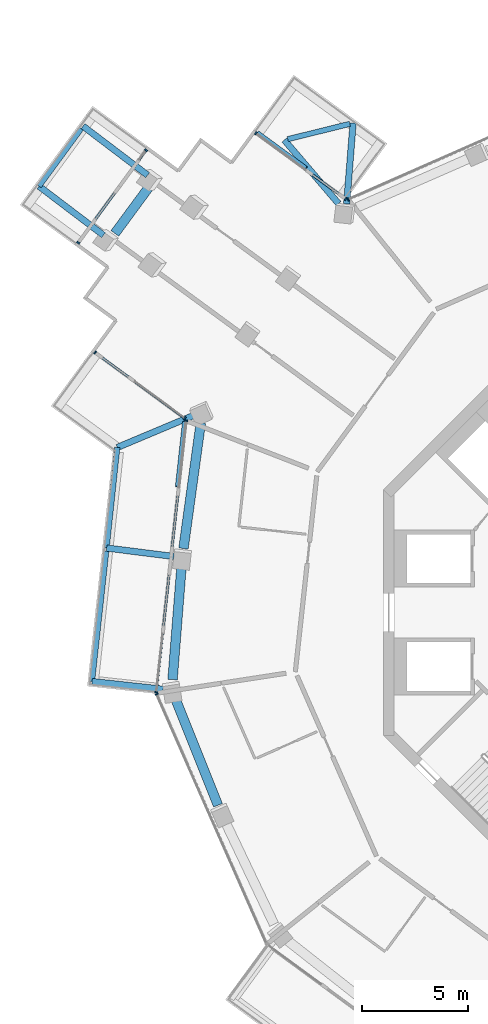
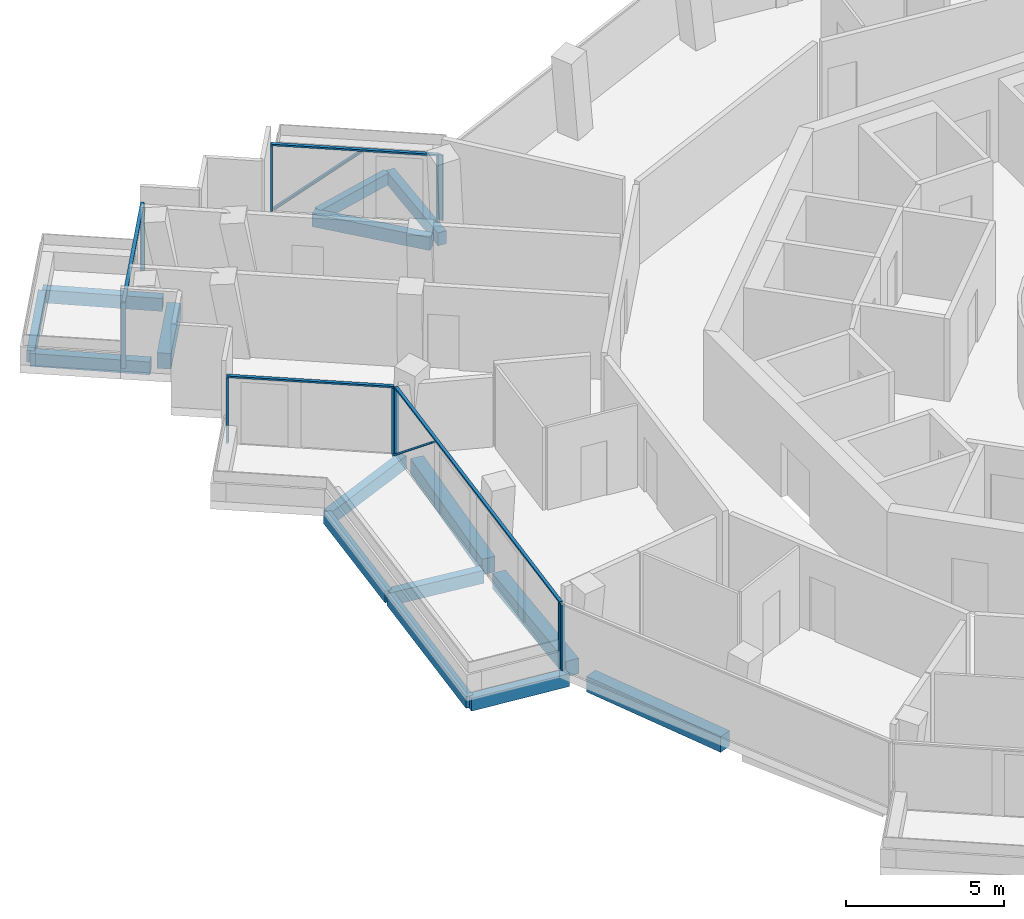
# One storey, part 6 of 22: 16 members, 15 beams, 6 elements without a shape of their own.
"""IFC4 building model written with IfcOpenShell, lengths in metres."""

from ifc_helpers import new_model, si_unit, direction, frame, origin, origin_2d, place, context, subcontext, project, spatial, rectangle, extrude, material, layer, layer_set, material_profile, profile_set, type_object, element, aggregate, save


model = new_model("IFC4")

# Units and contexts
model_context = context("Model", 3, precision=1e-05, world=origin(), true_north=direction((0.0, 1.0)))
body_context = subcontext(model_context, "Body", "Model", "MODEL_VIEW")
ifc_project = project(units=[si_unit("LENGTHUNIT", "METRE"), si_unit("AREAUNIT", "SQUARE_METRE"), si_unit("VOLUMEUNIT", "CUBIC_METRE"), si_unit("PLANEANGLEUNIT", "RADIAN"), si_unit("MASSUNIT", "GRAM", prefix="KILO")], contexts=[model_context])

# Site, building, storey
site_placement = place(None, origin())
site = spatial("IfcSite", under=ifc_project, at=site_placement, CompositionType="ELEMENT")
building_placement = place(site_placement, origin())
building = spatial("IfcBuilding", under=site, at=building_placement, Name="Verdalira Terraces Hotel", CompositionType="ELEMENT")
storey_placement = place(building_placement, frame((0.0, 0.0, 252.5)))
storey = spatial("IfcBuildingStorey", under=building, at=storey_placement, Name="L62", CompositionType="ELEMENT", Elevation=252.5)

# Beams
ifc_material_1 = material(Name="Concrete C40", Category="concrete")
ifc_material_profile_1 = material_profile(ifc_material_1, rectangle(XDim=0.300049, YDim=0.5, at=origin_2d()), Name="RC 300X500")
ifc_profile_set_1 = profile_set([ifc_material_profile_1], Name="Concrete C40")
beam_type_1 = type_object("IfcBeamType", Name="Balcony cantilever beam RC 300X500 C40", PredefinedType="BEAM", material=ifc_profile_set_1)
beam_1_placement = place(storey_placement, frame((-16.127441, 19.324463, -0.560059), z_axis=(-0.648819263, 0.76094255, 0.0), x_axis=(-0.76094255, -0.648819263, 0.0)))
element("IfcBeam", 1, at=beam_1_placement, inside=storey, type_object=beam_type_1, Name="Balcony cantilever beam R00-1", PredefinedType="BEAM", context=body_context, shape_type="SweptSolid", body=[
    extrude(rectangle(XDim=0.300049, YDim=0.5, at=origin_2d()), origin(), (0.0, 0.0, 1.0), 3.949951),
])
beam_2_placement = place(storey_placement, frame((-15.744385, 19.311768, -0.560059), z_axis=(0.079233847, 0.996856057, 0.0), x_axis=(-0.996856057, 0.079233847, 0.0)))
element("IfcBeam", 2, at=beam_2_placement, inside=storey, type_object=beam_type_1, Name="Balcony cantilever beam R00-2", PredefinedType="BEAM", context=body_context, shape_type="SweptSolid", body=[
    extrude(rectangle(XDim=0.300049, YDim=0.5, at=origin_2d()), origin(), (0.0, 0.0, 1.0), 3.833008),
])
beam_3_placement = place(storey_placement, frame((-25.152344, 20.67041, -0.560059), z_axis=(-0.796544108, 0.60458042, 0.0), x_axis=(-0.60458042, -0.796544108, 0.0)))
element("IfcBeam", 3, at=beam_3_placement, inside=storey, type_object=beam_type_1, Name="Balcony cantilever beam R05-1", PredefinedType="BEAM", context=body_context, shape_type="SweptSolid", body=[
    extrude(rectangle(XDim=0.300049, YDim=0.5, at=origin_2d()), origin(), (0.0, 0.0, 1.0), 3.829346),
])
beam_4_placement = place(storey_placement, frame((-27.236572, 17.83374, -0.560059), z_axis=(-0.796524865, 0.604605773, 0.0), x_axis=(-0.604605773, -0.796524865, 0.0)))
element("IfcBeam", 4, at=beam_4_placement, inside=storey, type_object=beam_type_1, Name="Balcony cantilever beam R05-2", PredefinedType="BEAM", context=body_context, shape_type="SweptSolid", body=[
    extrude(rectangle(XDim=0.300049, YDim=0.5, at=origin_2d()), origin(), (0.0, 0.0, 1.0), 3.825195),
])
beam_5_placement = place(storey_placement, frame((-22.941406, 9.332031, -0.560059), z_axis=(-0.921878357, -0.387479411, 0.0), x_axis=(0.387479411, -0.921878357, 0.0)))
element("IfcBeam", 5, at=beam_5_placement, inside=storey, type_object=beam_type_1, Name="Balcony cantilever beam R10-1", PredefinedType="BEAM", context=body_context, shape_type="SweptSolid", body=[
    extrude(rectangle(XDim=0.300049, YDim=0.5, at=origin_2d()), origin(), (0.0, 0.0, 1.0), 3.949951),
])
beam_6_placement = place(storey_placement, frame((-23.911865, 2.648682, -0.560059), z_axis=(-0.992116278, 0.125320754, 0.0), x_axis=(-0.125320754, -0.992116278, 0.0)))
element("IfcBeam", 6, at=beam_6_placement, inside=storey, type_object=beam_type_1, Name="Balcony cantilever beam R10-2", PredefinedType="BEAM", context=body_context, shape_type="SweptSolid", body=[
    extrude(rectangle(XDim=0.300049, YDim=0.5, at=origin_2d()), origin(), (0.0, 0.0, 1.0), 3.200684),
])
beam_7_placement = place(storey_placement, frame((-24.416504, -3.626221, -0.560059), z_axis=(-0.994068154, 0.108758928, 0.0), x_axis=(-0.108758928, -0.994068154, 0.0)))
element("IfcBeam", 7, at=beam_7_placement, inside=storey, type_object=beam_type_1, Name="Balcony cantilever beam R10-3", PredefinedType="BEAM", context=body_context, shape_type="SweptSolid", body=[
    extrude(rectangle(XDim=0.300049, YDim=0.5, at=origin_2d()), origin(), (0.0, 0.0, 1.0), 3.380615),
])
ifc_material_2 = material(Name="Concrete C40", Category="concrete")
ifc_material_profile_2 = material_profile(ifc_material_2, rectangle(XDim=0.25, YDim=0.449951, at=origin_2d()), Name="RC 250X450")
ifc_profile_set_2 = profile_set([ifc_material_profile_2], Name="Concrete C40")
beam_type_2 = type_object("IfcBeamType", Name="Balcony edge beam RC 250X450 C40", PredefinedType="BEAM", material=ifc_profile_set_2)
beam_8_placement = place(storey_placement, frame((-18.527344, 22.370605, -0.534912), z_axis=(0.970837175, 0.239739817, 0.0), x_axis=(-0.239739817, 0.970837175, 0.0)))
element("IfcBeam", 8, at=beam_8_placement, inside=storey, type_object=beam_type_2, Name="Balcony edge beam R00-1", PredefinedType="BEAM", context=body_context, shape_type="SweptSolid", body=[
    extrude(rectangle(XDim=0.25, YDim=0.449951, at=origin_2d()), origin(), (0.0, 0.0, 1.0), 3.021484),
])
beam_9_placement = place(storey_placement, frame((-28.29126, 22.864746, -0.534912), z_axis=(-0.591131237, -0.806575391, 0.0), x_axis=(0.806575391, -0.591131237, 0.0)))
element("IfcBeam", 9, at=beam_9_placement, inside=storey, type_object=beam_type_2, Name="Balcony edge beam R05-1", PredefinedType="BEAM", context=body_context, shape_type="SweptSolid", body=[
    extrude(rectangle(XDim=0.25, YDim=0.449951, at=origin_2d()), origin(), (0.0, 0.0, 1.0), 3.370117),
])
beam_10_placement = place(storey_placement, frame((-26.582764, 7.801514, -0.534912), z_axis=(-0.105607619, -0.99440788, 0.0), x_axis=(0.99440788, -0.105607619, 0.0)))
element("IfcBeam", 10, at=beam_10_placement, inside=storey, type_object=beam_type_2, Name="Balcony edge beam R10-1", PredefinedType="BEAM", context=body_context, shape_type="SweptSolid", body=[
    extrude(rectangle(XDim=0.25, YDim=0.449951, at=origin_2d()), origin(), (0.0, 0.0, 1.0), 4.77832),
])
beam_11_placement = place(storey_placement, frame((-27.103516, 2.900879, -0.534912), z_axis=(-0.108710165, -0.994073488, 0.0), x_axis=(0.994073488, -0.108710165, 0.0)))
element("IfcBeam", 11, at=beam_11_placement, inside=storey, type_object=beam_type_2, Name="Balcony edge beam R10-2", PredefinedType="BEAM", context=body_context, shape_type="SweptSolid", body=[
    extrude(rectangle(XDim=0.25, YDim=0.449951, at=origin_2d()), origin(), (0.0, 0.0, 1.0), 6.196045),
])

# Curtain wall, members
ifc_material_3 = material(Name="Clear glass", Category="glass")
ifc_layer_1 = layer(ifc_material_3, 0.14990234375)
ifc_layer_set_1 = layer_set([ifc_layer_1], Name="CW1 curtain wall")
curtain_wall_type_1 = type_object("IfcCurtainWallType", Name="CW1 curtain wall", PredefinedType="NOTDEFINED", material=ifc_layer_set_1)
curtain_wall_1_placement = place(storey_placement, origin())
curtain_wall_1 = element("IfcCurtainWall", 12, at=curtain_wall_1_placement, inside=storey, type_object=curtain_wall_type_1, Name="CW1 curtain wall L62 edge 11", PredefinedType="NOTDEFINED")
ifc_material_4 = material(Name="Terracotta frame", Category="masonry")
ifc_material_profile_3 = material_profile(ifc_material_4, rectangle(XDim=0.060059, YDim=0.149902, at=origin_2d()), Name="MU 60x150")
ifc_profile_set_3 = profile_set([ifc_material_profile_3], Name="Terracotta frame")
member_type_1 = type_object("IfcMemberType", Name="CW1 mullion 60x150", PredefinedType="MULLION", material=ifc_profile_set_3)
member_1_placement = place(storey_placement, frame((-23.336914, 9.060303, 0.0), z_axis=(0.0, 0.0, 1.0), x_axis=(-0.108693378, -0.994075324, 0.0)))
member_1 = element("IfcMember", 13, at=member_1_placement, type_object=member_type_1, Name="CW1 mullion", PredefinedType="MULLION", context=body_context, shape_type="SweptSolid", body=[
    extrude(rectangle(XDim=0.060059, YDim=0.149902, at=origin_2d()), origin(), (0.0, 0.0, 1.0), 2.524902),
])
member_2_placement = place(storey_placement, frame((-24.739014, -3.763184, 0.0), z_axis=(0.0, 0.0, 1.0), x_axis=(-0.108693378, -0.994075324, 0.0)))
member_2 = element("IfcMember", 14, at=member_2_placement, type_object=member_type_1, Name="CW1 mullion", PredefinedType="MULLION", context=body_context, shape_type="SweptSolid", body=[
    extrude(rectangle(XDim=0.060059, YDim=0.149902, at=origin_2d()), origin(), (0.0, 0.0, 1.0), 2.524902),
])

# Curtain wall, member
curtain_wall_2_placement = place(storey_placement, origin())
curtain_wall_2 = element("IfcCurtainWall", 15, at=curtain_wall_2_placement, inside=storey, type_object=curtain_wall_type_1, Name="CW1 curtain wall L62 edge 12", PredefinedType="NOTDEFINED")
member_3_placement = place(storey_placement, frame((-24.724121, -3.858887, 0.0), z_axis=(0.0, 0.0, 1.0), x_axis=(0.402906436, -0.915241173, 0.0)))
member_3 = element("IfcMember", 16, at=member_3_placement, type_object=member_type_1, Name="CW1 mullion", PredefinedType="MULLION", context=body_context, shape_type="SweptSolid", body=[
    extrude(rectangle(XDim=0.060059, YDim=0.149902, at=origin_2d()), origin(), (0.0, 0.0, 1.0), 2.524902),
])
aggregate(curtain_wall_2, [member_3])

curtain_wall_3_placement = place(storey_placement, origin())
curtain_wall_3 = element("IfcCurtainWall", 17, at=curtain_wall_3_placement, inside=storey, type_object=curtain_wall_type_1, Name="CW1 curtain wall L62 edge 41", PredefinedType="NOTDEFINED")
member_4_placement = place(storey_placement, frame((-15.665283, 19.526855, 0.0), z_axis=(0.0, 0.0, 1.0), x_axis=(-0.915241173, -0.402906436, 0.0)))
member_4 = element("IfcMember", 18, at=member_4_placement, type_object=member_type_1, Name="CW1 mullion", PredefinedType="MULLION", context=body_context, shape_type="SweptSolid", body=[
    extrude(rectangle(XDim=0.060059, YDim=0.149902, at=origin_2d()), origin(), (0.0, 0.0, 1.0), 2.524902),
])
aggregate(curtain_wall_3, [member_4])

# Member
ifc_material_5 = material(Name="Terracotta frame", Category="masonry")
ifc_material_profile_4 = material_profile(ifc_material_5, rectangle(XDim=0.110107, YDim=0.064941, at=origin_2d()), Name="TR 65x110")
ifc_profile_set_4 = profile_set([ifc_material_profile_4], Name="Terracotta frame")
member_type_2 = type_object("IfcMemberType", Name="CW1 transom 65x110", PredefinedType="USERDEFINED", material=ifc_profile_set_4)
member_5_placement = place(storey_placement, frame((-23.333496, 9.090088, 2.557617), z_axis=(-0.108696632, -0.994074968, 0.0), x_axis=(0.994074968, -0.108696632, 0.0)))
member_5 = element("IfcMember", 19, at=member_5_placement, type_object=member_type_2, Name="CW1 transom", ObjectType="TRANSOM", PredefinedType="USERDEFINED", context=body_context, shape_type="SweptSolid", body=[
    extrude(rectangle(XDim=0.110107, YDim=0.064941, at=origin_2d()), origin(), (0.0, 0.0, 1.0), 12.959961),
])

# Curtain wall, members
ifc_material_6 = material(Name="Clear glass", Category="glass")
ifc_layer_2 = layer(ifc_material_6, 0.14990234375)
ifc_layer_set_2 = layer_set([ifc_layer_2], Name="CW2 curtain wall")
curtain_wall_type_2 = type_object("IfcCurtainWallType", Name="CW2 curtain wall", PredefinedType="NOTDEFINED", material=ifc_layer_set_2)
curtain_wall_4_placement = place(storey_placement, origin())
curtain_wall_4 = element("IfcCurtainWall", 20, at=curtain_wall_4_placement, inside=storey, type_object=curtain_wall_type_2, Name="CW2 curtain wall L62 edge 0", PredefinedType="NOTDEFINED")
ifc_material_7 = material(Name="Terracotta frame", Category="masonry")
ifc_material_profile_5 = material_profile(ifc_material_7, rectangle(XDim=0.070068, YDim=0.149902, at=origin_2d()), Name="MU 70x150")
ifc_profile_set_5 = profile_set([ifc_material_profile_5], Name="Terracotta frame")
member_type_3 = type_object("IfcMemberType", Name="CW2 mullion 70x150", PredefinedType="MULLION", material=ifc_profile_set_5)
member_6_placement = place(storey_placement, frame((-15.79541, 19.543457, 0.0), z_axis=(0.0, 0.0, 1.0), x_axis=(-0.806547795, 0.591168888, 0.0)))
member_6 = element("IfcMember", 21, at=member_6_placement, type_object=member_type_3, Name="CW2 mullion", PredefinedType="MULLION", context=body_context, shape_type="SweptSolid", body=[
    extrude(rectangle(XDim=0.070068, YDim=0.149902, at=origin_2d()), origin(), (0.0, 0.0, 1.0), 2.524902),
])
member_7_placement = place(storey_placement, frame((-20.0354, 22.651123, 0.0), z_axis=(0.0, 0.0, 1.0), x_axis=(-0.806547795, 0.591168888, 0.0)))
member_7 = element("IfcMember", 22, at=member_7_placement, type_object=member_type_3, Name="CW2 mullion", PredefinedType="MULLION", context=body_context, shape_type="SweptSolid", body=[
    extrude(rectangle(XDim=0.070068, YDim=0.149902, at=origin_2d()), origin(), (0.0, 0.0, 1.0), 2.524902),
])

curtain_wall_5_placement = place(storey_placement, origin())
curtain_wall_5 = element("IfcCurtainWall", 23, at=curtain_wall_5_placement, inside=storey, type_object=curtain_wall_type_2, Name="CW2 curtain wall L62 edge 10", PredefinedType="NOTDEFINED")
member_8_placement = place(storey_placement, frame((-27.631836, 12.287109, 0.0), z_axis=(0.0, 0.0, 1.0), x_axis=(0.806547795, -0.591168888, 0.0)))
member_8 = element("IfcMember", 24, at=member_8_placement, type_object=member_type_3, Name="CW2 mullion", PredefinedType="MULLION", context=body_context, shape_type="SweptSolid", body=[
    extrude(rectangle(XDim=0.070068, YDim=0.149902, at=origin_2d()), origin(), (0.0, 0.0, 1.0), 2.524902),
])
member_9_placement = place(storey_placement, frame((-23.39209, 9.179443, 0.0), z_axis=(0.0, 0.0, 1.0), x_axis=(0.806547795, -0.591168888, 0.0)))
member_9 = element("IfcMember", 25, at=member_9_placement, type_object=member_type_3, Name="CW2 mullion", PredefinedType="MULLION", context=body_context, shape_type="SweptSolid", body=[
    extrude(rectangle(XDim=0.070068, YDim=0.149902, at=origin_2d()), origin(), (0.0, 0.0, 1.0), 2.524902),
])

# Member
ifc_material_8 = material(Name="Terracotta frame", Category="masonry")
ifc_material_profile_6 = material_profile(ifc_material_8, rectangle(XDim=0.11499, YDim=0.064941, at=origin_2d()), Name="TR 65x115")
ifc_profile_set_6 = profile_set([ifc_material_profile_6], Name="Terracotta frame")
member_type_4 = type_object("IfcMemberType", Name="CW2 transom 65x115", PredefinedType="USERDEFINED", material=ifc_profile_set_6)
member_10_placement = place(storey_placement, frame((-15.767334, 19.522949, 2.557617), z_axis=(-0.806546317, 0.591170904, 0.0), x_axis=(-0.591170904, -0.806546317, 0.0)))
member_10 = element("IfcMember", 26, at=member_10_placement, type_object=member_type_4, Name="CW2 transom", ObjectType="TRANSOM", PredefinedType="USERDEFINED", context=body_context, shape_type="SweptSolid", body=[
    extrude(rectangle(XDim=0.11499, YDim=0.064941, at=origin_2d()), origin(), (0.0, 0.0, 1.0), 5.32666),
])

member_11_placement = place(storey_placement, frame((-27.660156, 12.307617, 2.557617), z_axis=(0.806562335, -0.591149051, 0.0), x_axis=(0.591149051, 0.806562335, 0.0)))
member_11 = element("IfcMember", 27, at=member_11_placement, type_object=member_type_4, Name="CW2 transom", ObjectType="TRANSOM", PredefinedType="USERDEFINED", context=body_context, shape_type="SweptSolid", body=[
    extrude(rectangle(XDim=0.11499, YDim=0.064941, at=origin_2d()), origin(), (0.0, 0.0, 1.0), 5.326904),
])

aggregate(curtain_wall_5, [member_8, member_9, member_11])

# Curtain wall, members
ifc_material_9 = material(Name="Clear glass", Category="glass")
ifc_layer_3 = layer(ifc_material_9, 0.14990234375)
ifc_layer_set_3 = layer_set([ifc_layer_3], Name="CW3 curtain wall")
curtain_wall_type_3 = type_object("IfcCurtainWallType", Name="CW3 curtain wall", PredefinedType="NOTDEFINED", material=ifc_layer_set_3)
curtain_wall_6_placement = place(storey_placement, origin())
curtain_wall_6 = element("IfcCurtainWall", 28, at=curtain_wall_6_placement, inside=storey, type_object=curtain_wall_type_3, Name="CW3 curtain wall L62 edge 5", PredefinedType="NOTDEFINED")
ifc_material_10 = material(Name="Terracotta frame", Category="masonry")
ifc_material_profile_7 = material_profile(ifc_material_10, rectangle(XDim=0.080078, YDim=0.149902, at=origin_2d()), Name="MU 80x150")
ifc_profile_set_7 = profile_set([ifc_material_profile_7], Name="Terracotta frame")
member_type_5 = type_object("IfcMemberType", Name="CW3 mullion 80x150", PredefinedType="MULLION", material=ifc_profile_set_7)
member_12_placement = place(storey_placement, frame((-25.223877, 21.848145, 0.0), z_axis=(0.0, 0.0, 1.0), x_axis=(-0.591168888, -0.806547795, 0.0)))
member_12 = element("IfcMember", 29, at=member_12_placement, type_object=member_type_5, Name="CW3 mullion", PredefinedType="MULLION", context=body_context, shape_type="SweptSolid", body=[
    extrude(rectangle(XDim=0.080078, YDim=0.149902, at=origin_2d()), origin(), (0.0, 0.0, 1.0), 2.524902),
])
member_13_placement = place(storey_placement, frame((-28.427979, 17.476562, 0.0), z_axis=(0.0, 0.0, 1.0), x_axis=(-0.591168888, -0.806547795, 0.0)))
member_13 = element("IfcMember", 30, at=member_13_placement, type_object=member_type_5, Name="CW3 mullion", PredefinedType="MULLION", context=body_context, shape_type="SweptSolid", body=[
    extrude(rectangle(XDim=0.080078, YDim=0.149902, at=origin_2d()), origin(), (0.0, 0.0, 1.0), 2.524902),
])
ifc_material_11 = material(Name="Terracotta frame", Category="masonry")
ifc_material_profile_8 = material_profile(ifc_material_11, rectangle(XDim=0.120117, YDim=0.064941, at=origin_2d()), Name="TR 65x120")
ifc_profile_set_8 = profile_set([ifc_material_profile_8], Name="Terracotta frame")
member_type_6 = type_object("IfcMemberType", Name="CW3 transom 65x120", PredefinedType="USERDEFINED", material=ifc_profile_set_8)
member_14_placement = place(storey_placement, frame((-25.200195, 21.880371, 2.557617), z_axis=(-0.591171209, -0.806546094, 0.0), x_axis=(0.806546094, -0.591171209, 0.0)))
member_14 = element("IfcMember", 31, at=member_14_placement, type_object=member_type_6, Name="CW3 transom", ObjectType="TRANSOM", PredefinedType="USERDEFINED", context=body_context, shape_type="SweptSolid", body=[
    extrude(rectangle(XDim=0.120117, YDim=0.064941, at=origin_2d()), origin(), (0.0, 0.0, 1.0), 5.5),
])
aggregate(curtain_wall_6, [member_12, member_13, member_14])

# Member
ifc_material_12 = material(Name="Terracotta frame", Category="masonry")
ifc_material_profile_9 = material_profile(ifc_material_12, rectangle(XDim=0.149902, YDim=0.060059, at=origin_2d()), Name="GB 60x150")
ifc_profile_set_9 = profile_set([ifc_material_profile_9], Name="Terracotta frame")
member_type_7 = type_object("IfcMemberType", Name="Diagonal glazing bar 60x150", PredefinedType="USERDEFINED", material=ifc_profile_set_9)
member_15_placement = place(storey_placement, frame((-17.646973, 21.013428, 2.501221), z_axis=(-0.607061012, 0.444979096, -0.65838479), x_axis=(-0.591191739, -0.806531046, 0.0)))
member_15 = element("IfcMember", 32, at=member_15_placement, type_object=member_type_7, Name="Diagonal glazing bar", ObjectType="GLAZING BAR", PredefinedType="USERDEFINED", context=body_context, shape_type="SweptSolid", body=[
    extrude(rectangle(XDim=0.149902, YDim=0.060059, at=origin_2d()), origin(), (0.0, 0.0, 1.0), 3.762695),
])

aggregate(curtain_wall_4, [member_6, member_7, member_10, member_15])

member_16_placement = place(storey_placement, frame((-23.431885, 9.009521, 0.024658), z_axis=(-0.084725608, -0.774642956, 0.626697584), x_axis=(0.994071826, -0.108725367, 0.0)))
member_16 = element("IfcMember", 33, at=member_16_placement, type_object=member_type_7, Name="Diagonal glazing bar", ObjectType="GLAZING BAR", PredefinedType="USERDEFINED", context=body_context, shape_type="SweptSolid", body=[
    extrude(rectangle(XDim=0.149902, YDim=0.060059, at=origin_2d()), origin(), (0.0, 0.0, 1.0), 3.950684),
])

aggregate(curtain_wall_1, [member_1, member_2, member_5, member_16])

# Beams
ifc_material_13 = material(Name="Concrete C40", Category="concrete")
ifc_material_profile_10 = material_profile(ifc_material_13, rectangle(XDim=0.449951, YDim=0.600098, at=origin_2d()), Name="RC 450X600")
ifc_profile_set_10 = profile_set([ifc_material_profile_10], Name="Concrete C40")
beam_type_3 = type_object("IfcBeamType", Name="Spandrel beam RC 450X600 C40", PredefinedType="SPANDREL", material=ifc_profile_set_10)
beam_12_placement = place(storey_placement, frame((-25.032959, 20.179199, -0.610107), z_axis=(-0.593012298, -0.805193402, 0.0), x_axis=(0.805193402, -0.593012298, 0.0)))
element("IfcBeam", 34, at=beam_12_placement, inside=storey, type_object=beam_type_3, Name="Spandrel beam B01", PredefinedType="SPANDREL", context=body_context, shape_type="SweptSolid", body=[
    extrude(rectangle(XDim=0.449951, YDim=0.600098, at=origin_2d()), origin(), (0.0, 0.0, 1.0), 2.809814),
])
beam_13_placement = place(storey_placement, frame((-22.636719, 8.969238, -0.610107), z_axis=(-0.136640151, -0.990620749, 0.0), x_axis=(0.990620749, -0.136640151, 0.0)))
element("IfcBeam", 35, at=beam_13_placement, inside=storey, type_object=beam_type_3, Name="Spandrel beam B02", PredefinedType="SPANDREL", context=body_context, shape_type="SweptSolid", body=[
    extrude(rectangle(XDim=0.449951, YDim=0.600098, at=origin_2d()), origin(), (0.0, 0.0, 1.0), 5.999756),
])
beam_14_placement = place(storey_placement, frame((-23.544922, 2.208008, -0.610107), z_axis=(-0.079295493, -0.996851155, 0.0), x_axis=(0.996851155, -0.079295493, 0.0)))
element("IfcBeam", 36, at=beam_14_placement, inside=storey, type_object=beam_type_3, Name="Spandrel beam B03", PredefinedType="SPANDREL", context=body_context, shape_type="SweptSolid", body=[
    extrude(rectangle(XDim=0.449951, YDim=0.600098, at=origin_2d()), origin(), (0.0, 0.0, 1.0), 5.394287),
])
beam_15_placement = place(storey_placement, frame((-23.830322, -4.094238, -0.610107), z_axis=(0.371484268, -0.928439249, 0.0), x_axis=(0.928439249, 0.371484268, 0.0)))
element("IfcBeam", 37, at=beam_15_placement, inside=storey, type_object=beam_type_3, Name="Spandrel beam B04", PredefinedType="SPANDREL", context=body_context, shape_type="SweptSolid", body=[
    extrude(rectangle(XDim=0.449951, YDim=0.600098, at=origin_2d()), origin(), (0.0, 0.0, 1.0), 5.396973),
])

save(model, "model.ifc")
